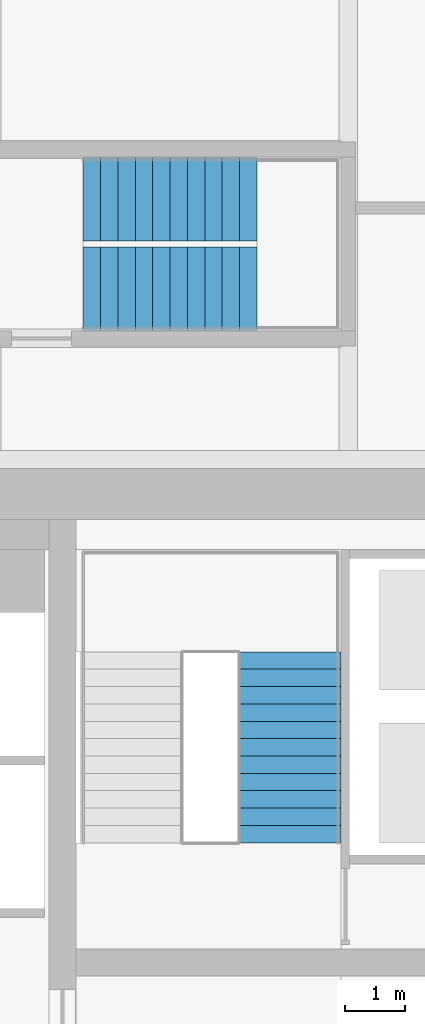
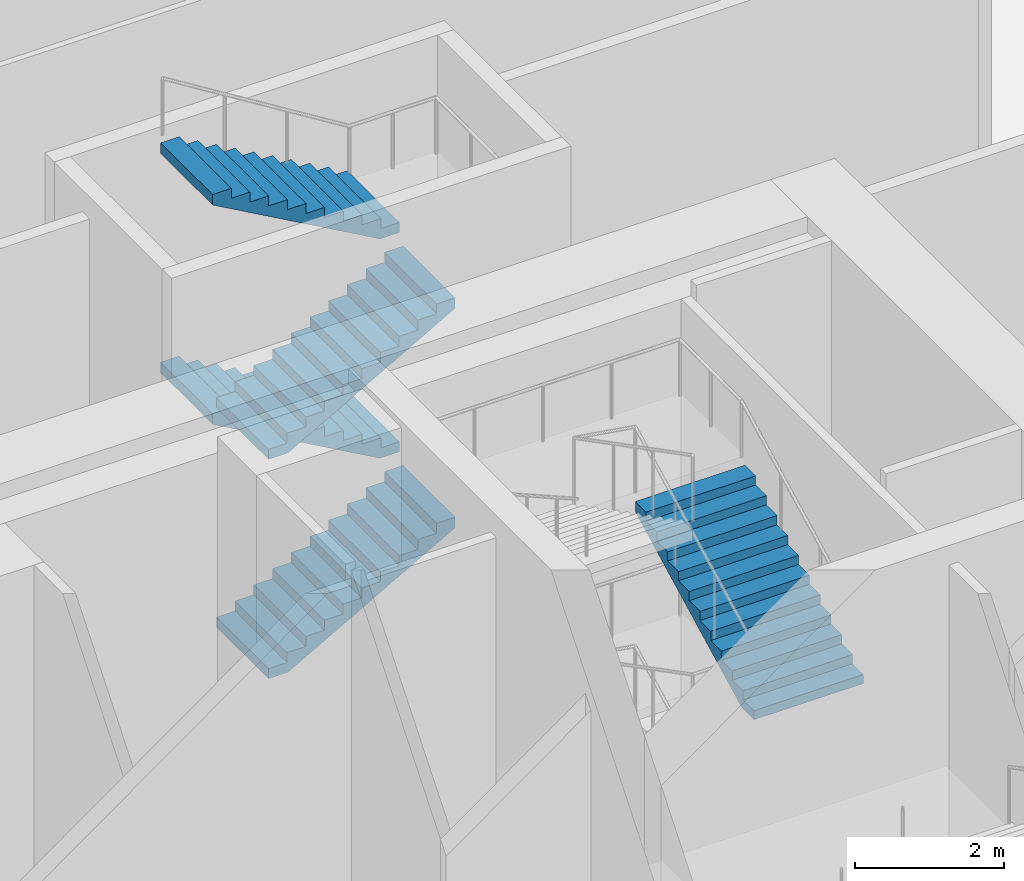
# One storey, part 30 of 34: 5 stair flights, 2 elements without a shape of their own.
"""IFC4 building model written with IfcOpenShell, lengths in metres."""

from ifc_helpers import new_model, si_unit, direction, frame, origin, place, context, subcontext, project, spatial, polyline, outline, extrude, material, type_object, element, aggregate, save


model = new_model("IFC4")

# Units and contexts
model_context = context("Model", 3, precision=1e-05, world=origin(), true_north=direction((0.0, 1.0)))
body_context = subcontext(model_context, "Body", "Model", "MODEL_VIEW")
ifc_project = project(units=[si_unit("LENGTHUNIT", "METRE"), si_unit("AREAUNIT", "SQUARE_METRE"), si_unit("VOLUMEUNIT", "CUBIC_METRE"), si_unit("PLANEANGLEUNIT", "RADIAN"), si_unit("MASSUNIT", "GRAM", prefix="KILO")], contexts=[model_context])

# Site, building, storey
site_placement = place(None, origin())
site = spatial("IfcSite", under=ifc_project, at=site_placement, CompositionType="ELEMENT")
building_placement = place(site_placement, origin())
building = spatial("IfcBuilding", under=site, at=building_placement, Name="Marenta Gate Hotel Tower", CompositionType="ELEMENT")
storey_placement = place(building_placement, frame((0.0, 0.0, 97.699951171875)))
storey = spatial("IfcBuildingStorey", under=building, at=storey_placement, Name="L21", CompositionType="ELEMENT", Elevation=97.699951171875)

# Stair, stair flight
ifc_material_1 = material(Name="Concrete C40", Category="concrete")
stair_type_1 = type_object("IfcStairType", Name="Core exit stair 1700 wide", PredefinedType="HALF_TURN_STAIR", material=ifc_material_1)
stair_1_placement = place(storey_placement, origin())
stair_1 = element("IfcStair", 1, at=stair_1_placement, inside=storey, type_object=stair_type_1, Name="Exit stair 4", PredefinedType="HALF_TURN_STAIR")
ifc_material_2 = material(Name="Concrete C40", Category="concrete")
stair_flight_type_1 = type_object("IfcStairFlightType", Name="Core stair flight 1700 riser 150.0 going 290", PredefinedType="STRAIGHT", material=ifc_material_2)
stair_flight_1_placement = place(storey_placement, frame((8.0, 10.39990234375, 3.60009765625), z_axis=(0.0, 0.0, 1.0), x_axis=(0.0, 1.0, 0.0)))
stair_flight_1 = element("IfcStairFlight", 2, at=stair_flight_1_placement, type_object=stair_flight_type_1, Name="ST4 flight 3", NumberOfRisers=12, NumberOfTreads=11, PredefinedType="STRAIGHT", RiserHeight=0.15, TreadLength=0.29, context=body_context, shape_type="SweptSolid", body=[
    extrude(outline(polyline([(0.0, 0.0), (0.0, 0.14990234375), (0.2900390625, 0.14990234375), (0.2900390625, 0.300048828125), (0.580078125, 0.300048828125), (0.580078125, 0.449951171875), (0.8701171875, 0.449951171875), (0.8701171875, 0.60009765625), (1.159912109375, 0.60009765625), (1.159912109375, 0.75), (1.449951171875, 0.75), (1.449951171875, 0.89990234375), (1.739990234375, 0.89990234375), (1.739990234375, 1.050048828125), (2.030029296875, 1.050048828125), (2.030029296875, 1.199951171875), (2.320068359375, 1.199951171875), (2.320068359375, 1.35009765625), (2.610107421875, 1.35009765625), (2.610107421875, 1.5), (2.89990234375, 1.5), (2.89990234375, 1.64990234375), (3.18994140625, 1.64990234375), (3.18994140625, 1.800048828125), (3.18994140625, 1.481201171875), (0.326171875, 0.0), (0.0, 0.0)])), frame((0.0, 0.85009765625, 0.0), z_axis=(0.0, -1.0, 0.0), x_axis=(1.0, 0.0, 0.0)), (0.0, 0.0, 1.0), 1.699951171875),
])
aggregate(stair_1, [stair_flight_1])

# Stair, stair flights
ifc_material_3 = material(Name="Concrete C40", Category="concrete")
stair_type_2 = type_object("IfcStairType", Name="Remote exit stair 1400 wide", PredefinedType="HALF_TURN_STAIR", material=ifc_material_3)
stair_2_placement = place(storey_placement, origin())
stair_2 = element("IfcStair", 3, at=stair_2_placement, inside=storey, type_object=stair_type_2, Name="Exit stair RS-Z2-4", PredefinedType="HALF_TURN_STAIR")
ifc_material_4 = material(Name="Concrete C40", Category="concrete")
stair_flight_type_2 = type_object("IfcStairFlightType", Name="Remote stair flight 1400 riser 163.6 going 290", PredefinedType="STRAIGHT", material=ifc_material_4)
stair_flight_2_placement = place(storey_placement, frame((4.550048828125, 19.64990234375, 0.0), z_axis=(0.0, 0.0, 1.0), x_axis=(1.0, 0.0, 0.0)))
stair_flight_2 = element("IfcStairFlight", 4, at=stair_flight_2_placement, type_object=stair_flight_type_2, Name="RS-Z2-4 flight 1", NumberOfRisers=11, NumberOfTreads=10, PredefinedType="STRAIGHT", RiserHeight=0.163636, TreadLength=0.29, context=body_context, shape_type="SweptSolid", body=[
    extrude(outline(polyline([(0.0, 0.0), (0.0, 0.16357421875), (0.2900390625, 0.16357421875), (0.2900390625, 0.327392578125), (0.580078125, 0.327392578125), (0.580078125, 0.490966796875), (0.8701171875, 0.490966796875), (0.8701171875, 0.654541015625), (1.159912109375, 0.654541015625), (1.159912109375, 0.818115234375), (1.449951171875, 0.818115234375), (1.449951171875, 0.98193359375), (1.739990234375, 0.98193359375), (1.739990234375, 1.1455078125), (2.030029296875, 1.1455078125), (2.030029296875, 1.30908203125), (2.320068359375, 1.30908203125), (2.320068359375, 1.47265625), (2.610107421875, 1.47265625), (2.610107421875, 1.636474609375), (2.89990234375, 1.636474609375), (2.89990234375, 1.800048828125), (2.89990234375, 1.46435546875), (0.304931640625, 0.0), (0.0, 0.0)])), frame((0.0, 0.699951171875, 0.0), z_axis=(0.0, -1.0, 0.0), x_axis=(1.0, 0.0, 0.0)), (0.0, 0.0, 1.0), 1.39990234375),
])
stair_flight_3_placement = place(storey_placement, frame((7.449951171875, 21.14990234375, 1.800048828125), z_axis=(0.0, 0.0, 1.0), x_axis=(-1.0, 0.0, 0.0)))
stair_flight_3 = element("IfcStairFlight", 5, at=stair_flight_3_placement, type_object=stair_flight_type_2, Name="RS-Z2-4 flight 2", NumberOfRisers=11, NumberOfTreads=10, PredefinedType="STRAIGHT", RiserHeight=0.163636, TreadLength=0.29, context=body_context, shape_type="SweptSolid", body=[
    extrude(outline(polyline([(0.0, 0.0), (0.0, 0.16357421875), (0.2900390625, 0.16357421875), (0.2900390625, 0.327392578125), (0.580078125, 0.327392578125), (0.580078125, 0.490966796875), (0.8701171875, 0.490966796875), (0.8701171875, 0.654541015625), (1.159912109375, 0.654541015625), (1.159912109375, 0.818115234375), (1.449951171875, 0.818115234375), (1.449951171875, 0.98193359375), (1.739990234375, 0.98193359375), (1.739990234375, 1.1455078125), (2.030029296875, 1.1455078125), (2.030029296875, 1.30908203125), (2.320068359375, 1.30908203125), (2.320068359375, 1.47265625), (2.610107421875, 1.47265625), (2.610107421875, 1.636474609375), (2.89990234375, 1.636474609375), (2.89990234375, 1.800048828125), (2.89990234375, 1.46435546875), (0.304931640625, 0.0), (0.0, 0.0)])), frame((0.0, 0.699951171875, 0.0), z_axis=(0.0, -1.0, 0.0), x_axis=(1.0, 0.0, 0.0)), (0.0, 0.0, 1.0), 1.39990234375),
])
stair_flight_4_placement = place(storey_placement, frame((4.550048828125, 19.64990234375, 3.60009765625), z_axis=(0.0, 0.0, 1.0), x_axis=(1.0, 0.0, 0.0)))
stair_flight_4 = element("IfcStairFlight", 6, at=stair_flight_4_placement, type_object=stair_flight_type_2, Name="RS-Z2-4 flight 3", NumberOfRisers=11, NumberOfTreads=10, PredefinedType="STRAIGHT", RiserHeight=0.163636, TreadLength=0.29, context=body_context, shape_type="SweptSolid", body=[
    extrude(outline(polyline([(0.0, 0.0), (0.0, 0.16357421875), (0.2900390625, 0.16357421875), (0.2900390625, 0.327392578125), (0.580078125, 0.327392578125), (0.580078125, 0.490966796875), (0.8701171875, 0.490966796875), (0.8701171875, 0.654541015625), (1.159912109375, 0.654541015625), (1.159912109375, 0.818115234375), (1.449951171875, 0.818115234375), (1.449951171875, 0.98193359375), (1.739990234375, 0.98193359375), (1.739990234375, 1.1455078125), (2.030029296875, 1.1455078125), (2.030029296875, 1.30908203125), (2.320068359375, 1.30908203125), (2.320068359375, 1.47265625), (2.610107421875, 1.47265625), (2.610107421875, 1.636474609375), (2.89990234375, 1.636474609375), (2.89990234375, 1.800048828125), (2.89990234375, 1.46435546875), (0.304931640625, 0.0), (0.0, 0.0)])), frame((0.0, 0.699951171875, 0.0), z_axis=(0.0, -1.0, 0.0), x_axis=(1.0, 0.0, 0.0)), (0.0, 0.0, 1.0), 1.39990234375),
])
stair_flight_5_placement = place(storey_placement, frame((7.449951171875, 21.14990234375, 5.400146484375), z_axis=(0.0, 0.0, 1.0), x_axis=(-1.0, 0.0, 0.0)))
stair_flight_5 = element("IfcStairFlight", 7, at=stair_flight_5_placement, type_object=stair_flight_type_2, Name="RS-Z2-4 flight 4", NumberOfRisers=11, NumberOfTreads=10, PredefinedType="STRAIGHT", RiserHeight=0.163636, TreadLength=0.29, context=body_context, shape_type="SweptSolid", body=[
    extrude(outline(polyline([(0.0, 0.0), (0.0, 0.16357421875), (0.2900390625, 0.16357421875), (0.2900390625, 0.327392578125), (0.580078125, 0.327392578125), (0.580078125, 0.490966796875), (0.8701171875, 0.490966796875), (0.8701171875, 0.654541015625), (1.159912109375, 0.654541015625), (1.159912109375, 0.818115234375), (1.449951171875, 0.818115234375), (1.449951171875, 0.98193359375), (1.739990234375, 0.98193359375), (1.739990234375, 1.1455078125), (2.030029296875, 1.1455078125), (2.030029296875, 1.30908203125), (2.320068359375, 1.30908203125), (2.320068359375, 1.47265625), (2.610107421875, 1.47265625), (2.610107421875, 1.636474609375), (2.89990234375, 1.636474609375), (2.89990234375, 1.800048828125), (2.89990234375, 1.46435546875), (0.304931640625, 0.0), (0.0, 0.0)])), frame((0.0, 0.699951171875, 0.0), z_axis=(0.0, -1.0, 0.0), x_axis=(1.0, 0.0, 0.0)), (0.0, 0.0, 1.0), 1.39990234375),
])
aggregate(stair_2, [stair_flight_2, stair_flight_3, stair_flight_4, stair_flight_5])

save(model, "model.ifc")
